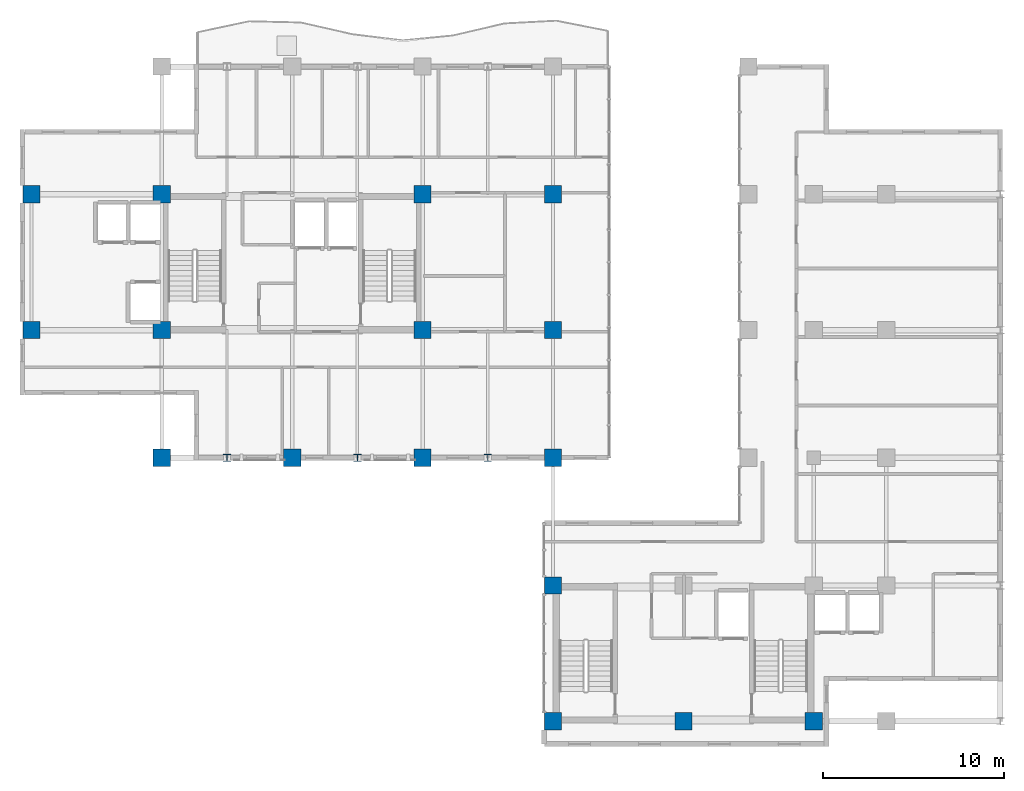
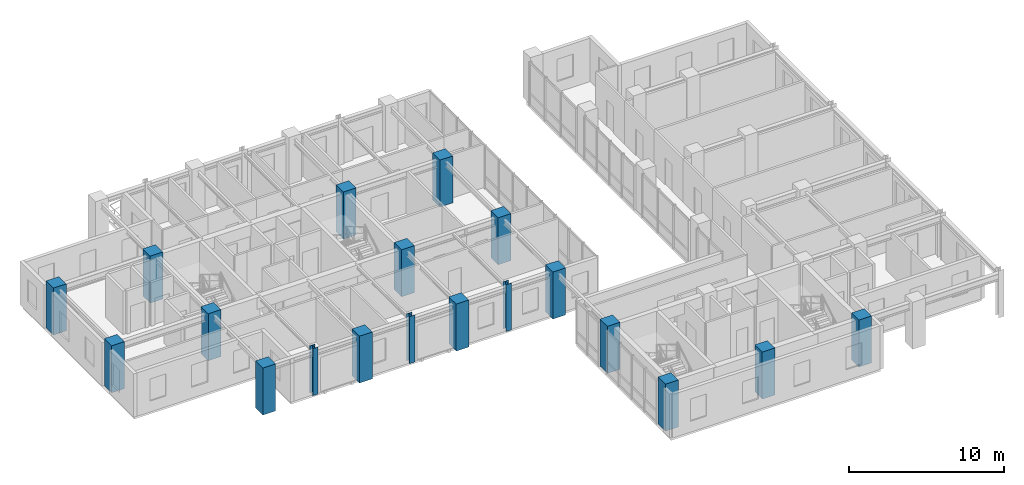
# One storey, part 1 of 24: 19 columns.
"""IFC4 building model written with IfcOpenShell, lengths in metres."""

from ifc_helpers import new_model, si_unit, direction, frame, origin, origin_2d, place, context, subcontext, project, spatial, rectangle, i_section, extrude, source, transform, mapped, material, material_profile, profile_set, type_object, element, save


model = new_model("IFC4")

# Units and contexts
model_context = context("Model", 3, precision=1e-05, world=origin(), true_north=direction((0.0, 1.0)))
body_context = subcontext(model_context, "Body", "Model", "MODEL_VIEW")
ifc_project = project(units=[si_unit("LENGTHUNIT", "METRE"), si_unit("AREAUNIT", "SQUARE_METRE"), si_unit("VOLUMEUNIT", "CUBIC_METRE"), si_unit("PLANEANGLEUNIT", "RADIAN"), si_unit("MASSUNIT", "GRAM", prefix="KILO")], contexts=[model_context])

# Site, building, storey
site_placement = place(None, origin())
site = spatial("IfcSite", under=ifc_project, at=site_placement, CompositionType="ELEMENT")
building_placement = place(site_placement, origin())
building = spatial("IfcBuilding", under=site, at=building_placement, Name="Kaliganga Portal Commons", CompositionType="ELEMENT")
storey_placement = place(building_placement, frame((0.0, 0.0, 242.5)))
storey = spatial("IfcBuildingStorey", under=building, at=storey_placement, Name="L62", CompositionType="ELEMENT", Elevation=242.5)

# Columns
ifc_material_1 = material(Name="Concrete C50/60", Category="concrete")
ifc_material_profile_1 = material_profile(ifc_material_1, rectangle(XDim=0.949951171875, YDim=0.949951171875, at=origin_2d()), Name="RC 950x950")
ifc_profile_set_1 = profile_set([ifc_material_profile_1], Name="Concrete C50/60")
column_type_1 = type_object("IfcColumnType", Name="COL-MEGA-Z4", PredefinedType="COLUMN", material=ifc_profile_set_1)
shared_shape_1 = source(origin(), body_context, "Body", "SweptSolid", [
    extrude(rectangle(XDim=0.949951171875, YDim=0.949951171875, at=origin_2d()), origin(), (0.0, 0.0, 1.0), 3.699951171875),
])
for number, where, z_axis, x_axis, name in (
    (1, (7.199951171875, 28.64990234375, 0.0), (0.0, 0.0, 1.0), (1.0, 0.0, 0.0), "Column MC-05 L62"),
    (2, (7.199951171875, 36.14990234375, 0.0), (0.0, 0.0, 1.0), (1.0, 0.0, 0.0), "Column MC-05 L62"),
    (3, (14.39990234375, 21.60009765625, 0.0), (0.0, 0.0, 1.0), (1.0, 0.0, 0.0), "Column MC-05 L62"),
    (4, (14.39990234375, 28.64990234375, 0.0), (0.0, 0.0, 1.0), (1.0, 0.0, 0.0), "Column MC-05 L62"),
    (5, (14.39990234375, 36.14990234375, 0.0), (0.0, 0.0, 1.0), (1.0, 0.0, 0.0), "Column MC-05 L62"),
    (6, (21.60009765625, 21.60009765625, 0.0), (0.0, 0.0, 1.0), (1.0, 0.0, 0.0), "Column MC-05 L62"),
    (7, (28.800048828125, 21.60009765625, 0.0), (0.0, 0.0, 1.0), (1.0, 0.0, 0.0), "Column MC-05 L62"),
    (8, (28.800048828125, 28.64990234375, 0.0), (0.0, 0.0, 1.0), (1.0, 0.0, 0.0), "Column MC-05 L62"),
    (9, (28.800048828125, 36.14990234375, 0.0), (0.0, 0.0, 1.0), (1.0, 0.0, 0.0), "Column MC-05 L62"),
    (10, (36.0, 21.60009765625, 0.0), (0.0, 0.0, 1.0), (1.0, 0.0, 0.0), "Column MC-05 L62"),
    (11, (36.0, 28.64990234375, 0.0), (0.0, 0.0, 1.0), (1.0, 0.0, 0.0), "Column MC-05 L62"),
    (12, (36.0, 36.14990234375, 0.0), (0.0, 0.0, 1.0), (1.0, 0.0, 0.0), "Column MC-05 L62"),
    (13, (36.0, 7.050048828125, 0.0), (0.0, 0.0, 1.0), (1.0, 0.0, 0.0), "Column MC-05 L62"),
    (14, (36.0, 14.550048828125, 0.0), (0.0, 0.0, 1.0), (1.0, 0.0, 0.0), "Column MC-05 L62"),
    (15, (43.199951171875, 7.050048828125, 0.0), (0.0, 0.0, 1.0), (1.0, 0.0, 0.0), "Column MC-05 L62"),
    (16, (50.39990234375, 7.050048828125, 0.0), (0.0, 0.0, 1.0), (1.0, 0.0, 0.0), "Column MC-05 L62"),
):
    element("IfcColumn", number, at=place(storey_placement, frame(where, z_axis=z_axis, x_axis=x_axis)), inside=storey, type_object=column_type_1, Name=name, PredefinedType="COLUMN", context=body_context, shape_type="MappedRepresentation", body=[
        mapped(shared_shape_1, transform((0.0, 0.0, 0.0), x_axis=(1.0, 0.0, 0.0), y_axis=(0.0, 1.0, 0.0), z_axis=(0.0, 0.0, 1.0), scale=1.0)),
    ])
ifc_material_2 = material(Name="Structural steel S355J2", Category="steel")
ifc_material_profile_2 = material_profile(ifc_material_2, i_section(OverallWidth=0.39892578125, OverallDepth=0.39990234375, WebThickness=0.017333984375, FlangeThickness=0.0234375, FilletRadius=0.014892578125, at=origin_2d()), Name="HD 400x287")
ifc_profile_set_2 = profile_set([ifc_material_profile_2], Name="Structural steel S355J2 wide-flange")
column_type_2 = type_object("IfcColumnType", Name="COL-TUBE-B4", PredefinedType="COLUMN", material=ifc_profile_set_2)
shared_shape_2 = source(origin(), body_context, "Body", "SweptSolid", [
    extrude(i_section(OverallWidth=0.39892578125, OverallDepth=0.39990234375, WebThickness=0.017333984375, FlangeThickness=0.0234375, FilletRadius=0.014892578125, at=origin_2d()), origin(), (0.0, 0.0, 1.0), 3.699951171875),
])
for number, where, z_axis, x_axis, name in (
    (17, (18.0, 21.60009765625, 0.0), (0.0, 0.0, 1.0), (1.0, 0.0, 0.0), "Column TC-04 L62"),
    (18, (25.199951171875, 21.60009765625, 0.0), (0.0, 0.0, 1.0), (1.0, 0.0, 0.0), "Column TC-04 L62"),
    (19, (32.39990234375, 21.60009765625, 0.0), (0.0, 0.0, 1.0), (1.0, 0.0, 0.0), "Column TC-04 L62"),
):
    element("IfcColumn", number, at=place(storey_placement, frame(where, z_axis=z_axis, x_axis=x_axis)), inside=storey, type_object=column_type_2, Name=name, PredefinedType="COLUMN", context=body_context, shape_type="MappedRepresentation", body=[
        mapped(shared_shape_2, transform((0.0, 0.0, 0.0), x_axis=(1.0, 0.0, 0.0), y_axis=(0.0, 1.0, 0.0), z_axis=(0.0, 0.0, 1.0), scale=1.0)),
    ])

save(model, "model.ifc")
